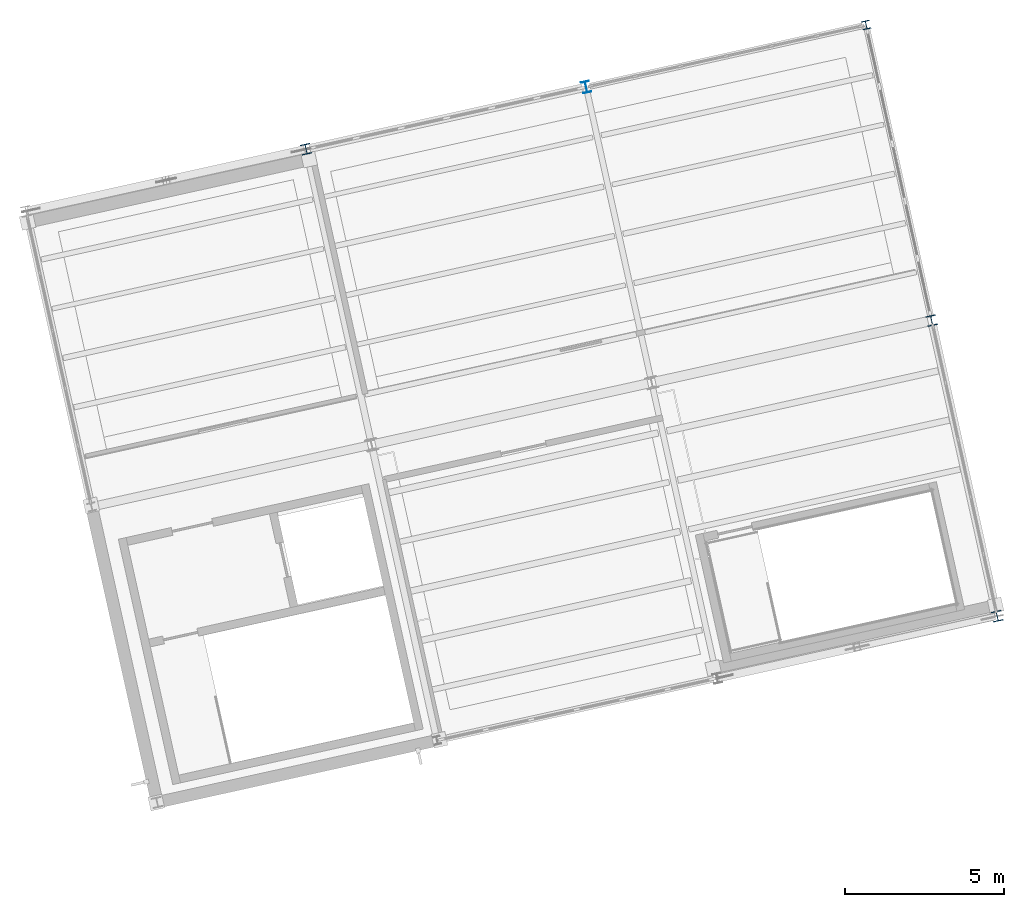
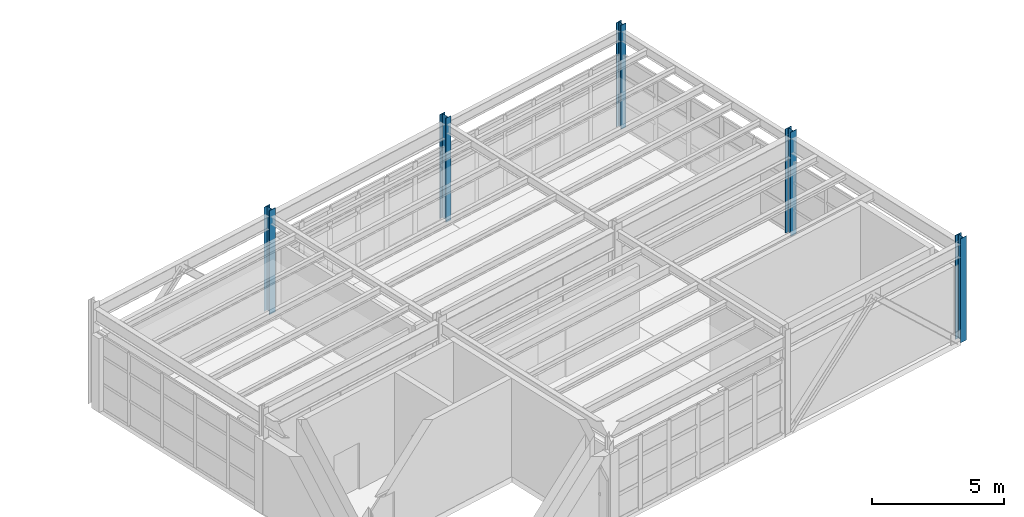
# One storey, part 11 of 59: 5 columns.
"""IFC4 building model written with IfcOpenShell, lengths in metres."""

import ifcopenshell
import ifcopenshell.guid

model = None  # the IFC model being written
_history = None  # IfcOwnerHistory: only IFC2X3 demands one
_inside = {}  # id of a spatial element -> (the spatial element, [elements in it])
_under = {}  # id of a project, library or spatial element -> (it, [spatial elements below it])
_declared = {}  # id of a project -> (the project, [libraries it declares])
_typed = {}  # id of a type object -> (the type object, [elements of that type])
_made_of = {}  # id of a material, layer set ... -> (it, [elements and type objects made of it])


def new_model(schema):
    """Start an empty IFC model of exactly this schema.

    Asked for "IFC4X3", IfcOpenShell would pick the latest addendum, in which some entities
    have other attributes; the version numbers below select the first issue.
    IFC2X3 requires an IfcOwnerHistory on every rooted entity: one is made here for all.
    """
    global model, _history
    if schema == "IFC4X3":
        model = ifcopenshell.file(schema_version=(4, 3, 0, 0))
    else:
        model = ifcopenshell.file(schema=schema)
    _inside.clear()
    _under.clear()
    _declared.clear()
    _typed.clear()
    _made_of.clear()
    _history = None
    if model.schema == "IFC2X3":
        org = make("IfcOrganization", Name="unknown")
        user = make(
            "IfcPersonAndOrganization",
            ThePerson=make("IfcPerson", FamilyName="unknown"),
            TheOrganization=org,
        )
        app = make(
            "IfcApplication",
            ApplicationDeveloper=org,
            Version="unknown",
            ApplicationFullName="unknown",
            ApplicationIdentifier="unknown",
        )
        _history = make(
            "IfcOwnerHistory",
            OwningUser=user,
            OwningApplication=app,
            ChangeAction="ADDED",
            CreationDate=0,
        )
    return model


def make(cls, **values):
    """One entity of the class cls with the attributes given. An attribute that is None is left unset."""
    return model.create_entity(
        cls, **{name: value for name, value in values.items() if value is not None}
    )


def rooted(cls, **values):
    """An entity with a GlobalId (a new one), such as an element, a storey or a relation."""
    return make(cls, GlobalId=ifcopenshell.guid.new(), OwnerHistory=_history, **values)


def si_unit(unit_type, name, prefix=None):
    """IfcSIUnit, for example si_unit("LENGTHUNIT", "METRE", prefix="MILLI")."""
    return make("IfcSIUnit", UnitType=unit_type, Prefix=prefix, Name=name)


def assignment(units):
    """IfcUnitAssignment: the units of a project."""
    return None if units is None else make("IfcUnitAssignment", Units=units)


def point(xyz):
    """IfcCartesianPoint."""
    return None if xyz is None else make("IfcCartesianPoint", Coordinates=xyz)


def direction(xyz):
    """IfcDirection."""
    return None if xyz is None else make("IfcDirection", DirectionRatios=xyz)


def frame(location, z_axis=None, x_axis=None):
    """IfcAxis2Placement3D, a coordinate frame: its origin and axes. An axis left out is left unset."""
    return make(
        "IfcAxis2Placement3D",
        Location=point(location),
        Axis=direction(z_axis),
        RefDirection=direction(x_axis),
    )


def frame_2d(location, x_axis=None):
    """IfcAxis2Placement2D, a coordinate frame in the plane: its origin and x axis."""
    return make(
        "IfcAxis2Placement2D", Location=point(location), RefDirection=direction(x_axis)
    )


def origin():
    """The frame at (0, 0, 0) with its axes left unset."""
    return frame((0.0, 0.0, 0.0))


def origin_2d():
    """The frame at (0, 0) in the plane with its x axis left unset."""
    return frame_2d((0.0, 0.0))


def place(relative_to, where):
    """IfcLocalPlacement: puts the frame where relative to a parent placement (None: the world)."""
    return make(
        "IfcLocalPlacement", PlacementRelTo=relative_to, RelativePlacement=where
    )


def context(
    kind, dimensions, precision=None, world=None, true_north=None, identifier=None
):
    """IfcGeometricRepresentationContext, for example the 3D "Model" context."""
    return make(
        "IfcGeometricRepresentationContext",
        ContextIdentifier=identifier,
        ContextType=kind,
        CoordinateSpaceDimension=dimensions,
        Precision=precision,
        WorldCoordinateSystem=world,
        TrueNorth=true_north,
    )


def subcontext(parent, identifier, kind, view, scale=None):
    """IfcGeometricRepresentationSubContext, for example "Body" below "Model"."""
    return make(
        "IfcGeometricRepresentationSubContext",
        ContextIdentifier=identifier,
        ContextType=kind,
        ParentContext=parent,
        TargetScale=scale,
        TargetView=view,
    )


def project(units=None, contexts=None):
    """IfcProject with its units and contexts."""
    return rooted(
        "IfcProject",
        Name="project",
        RepresentationContexts=contexts,
        UnitsInContext=assignment(units),
    )


def spatial(cls, under=None, at=None, **own):
    """A site, building, storey or space (cls), placed at a placement, below another one or the project."""
    s = rooted(cls, ObjectPlacement=at, **own)
    if under is not None:
        _under.setdefault(under.id(), (under, []))[1].append(s)
    return s


def profile(cls, at=None, kind="AREA", **sizes):
    """A parametric profile (cls). Its sizes go by their IFC names, for example OverallWidth=200.0."""
    return make(cls, ProfileType=kind, Position=at, **sizes)


def i_section(**sizes):
    """IfcIShapeProfileDef."""
    return profile("IfcIShapeProfileDef", **sizes)


def extrude(swept, where, along, depth):
    """IfcExtrudedAreaSolid: the profile swept, set in the frame where, extruded along a direction by depth."""
    return make(
        "IfcExtrudedAreaSolid",
        SweptArea=swept,
        Position=where,
        ExtrudedDirection=direction(along),
        Depth=depth,
    )


def shape(context_of_items, identifier, shape_type, items):
    """IfcShapeRepresentation: the items that make up one representation, for example the "Body"."""
    return make(
        "IfcShapeRepresentation",
        ContextOfItems=context_of_items,
        RepresentationIdentifier=identifier,
        RepresentationType=shape_type,
        Items=items,
    )


def material(Name=None, Category=None):
    """IfcMaterial."""
    return make("IfcMaterial", Name=Name, Category=Category)


def material_profile(
    of_material, cross_section, Name=None, Category=None, Priority=None
):
    """IfcMaterialProfile: a cross section and its material."""
    return make(
        "IfcMaterialProfile",
        Name=Name,
        Material=of_material,
        Profile=cross_section,
        Priority=Priority,
        Category=Category,
    )


def profile_set(profiles, Name=None, composite=None):
    """IfcMaterialProfileSet."""
    return make(
        "IfcMaterialProfileSet",
        Name=Name,
        MaterialProfiles=profiles,
        CompositeProfile=composite,
    )


def made_of(thing, what):
    """Note that an element or type object is made of a material, layer set ...; save() writes the relation."""
    if what is not None:
        _made_of.setdefault(what.id(), (what, []))[1].append(thing)
    return thing


def type_object(cls, material=None, **own):
    """A type object (cls), such as IfcWallType, which elements share."""
    return made_of(rooted(cls, **own), material)


def element(
    cls,
    number,
    at=None,
    inside=None,
    cuts=None,
    type_object=None,
    material=None,
    context=None,
    identifier="Body",
    shape_type=None,
    held_by="IfcProductDefinitionShape",
    body=None,
    shapes=None,
    **own,
):
    """One element of the class cls, such as IfcWall. Its Tag is "e" and its number.

    at: its placement. inside: the storey or other place that contains it. cuts: it is an
    opening in that element (IfcRelVoidsElement). A single representation is given by context,
    identifier, shape_type and body (its items); several are given by shapes. held_by: the class
    of the entity that holds the representations. save() writes the other relations.
    """
    e = rooted(cls, Tag="e%d" % number, ObjectPlacement=at, **own)
    if body is not None:
        shapes = [shape(context, identifier, shape_type, body)]
    if shapes is not None:
        e.Representation = make(held_by, Representations=shapes)
    if inside is not None:
        _inside.setdefault(inside.id(), (inside, []))[1].append(e)
    if cuts is not None:
        rooted(
            "IfcRelVoidsElement", RelatingBuildingElement=cuts, RelatedOpeningElement=e
        )
    if type_object is not None:
        _typed.setdefault(type_object.id(), (type_object, []))[1].append(e)
    return made_of(e, material)


def aggregate(whole, parts):
    """IfcRelAggregates: a whole, such as a stair, and the parts it consists of."""
    return rooted("IfcRelAggregates", RelatingObject=whole, RelatedObjects=parts)


def save(model, path):
    """Write the relations noted so far, then the file.

    IfcRelAggregates (storeys below a building ...), IfcRelContainedInSpatialStructure (elements
    in a storey), IfcRelDefinesByType, IfcRelAssociatesMaterial and IfcRelDeclares: one each for
    every whole, place, type object, material and project.
    """
    for whole, parts in _under.values():
        aggregate(whole, parts)
    for where, things in _inside.values():
        rooted(
            "IfcRelContainedInSpatialStructure",
            RelatedElements=things,
            RelatingStructure=where,
        )
    for kind, things in _typed.values():
        rooted("IfcRelDefinesByType", RelatedObjects=things, RelatingType=kind)
    for what, things in _made_of.values():
        rooted("IfcRelAssociatesMaterial", RelatedObjects=things, RelatingMaterial=what)
    for by, libraries in _declared.values():
        rooted("IfcRelDeclares", RelatingContext=by, RelatedDefinitions=libraries)
    model.write(path)


model = new_model("IFC4")

# Units and contexts
model_context = context("Model", 3, precision=1e-05, world=origin(), true_north=direction((0.0, 1.0)))
body_context = subcontext(model_context, "Body", "Model", "MODEL_VIEW")
ifc_project = project(units=[si_unit("LENGTHUNIT", "METRE"), si_unit("AREAUNIT", "SQUARE_METRE"), si_unit("VOLUMEUNIT", "CUBIC_METRE"), si_unit("PLANEANGLEUNIT", "RADIAN"), si_unit("MASSUNIT", "GRAM", prefix="KILO")], contexts=[model_context])

# Site, building, storey
site_placement = place(None, origin())
site = spatial("IfcSite", under=ifc_project, at=site_placement, CompositionType="ELEMENT")
building_placement = place(site_placement, origin())
building = spatial("IfcBuilding", under=site, at=building_placement, Name="Vireo Bluff Cable Station", CompositionType="ELEMENT")
storey_placement = place(building_placement, frame((0.0, 0.0, 14.39990234375)))
storey = spatial("IfcBuildingStorey", under=building, at=storey_placement, Name="L03", CompositionType="ELEMENT", Elevation=14.39990234375)

# Columns
ifc_material = material(Name="Steel ASTM A992 Gr. 50", Category="steel")
ifc_material_profile_1 = material_profile(ifc_material, i_section(OverallWidth=0.306884765625, OverallDepth=0.31494140625, WebThickness=0.011962890625, FlangeThickness=0.018798828125, FilletRadius=0.012939453125, at=origin_2d()), Name="W12X79")
ifc_profile_set_1 = profile_set([ifc_material_profile_1], Name="Steel ASTM A992 Gr. 50")
column_type_1 = type_object("IfcColumnType", Name="ECOL-W12X79", PredefinedType="COLUMN", material=ifc_profile_set_1)
for number, where, z_axis, x_axis, name in (
    (1, (137.40478515625, 105.720458984375, 0.0), (0.0, 0.0, 1.0), (0.97629600712, 0.216439613938, 0.0), "V2 L03 column 164"),
    (2, (159.090576171875, 91.066650390625, 0.0), (0.0, 0.0, 1.0), (0.97629600712, 0.216439613938, 0.0), "V2 L03 column 186"),
    (3, (157.034423828125, 100.341552734375, 0.0), (0.0, 0.0, 1.0), (0.97629600712, 0.216439613938, 0.0), "V2 L03 column 190"),
):
    element("IfcColumn", number, at=place(storey_placement, frame(where, z_axis=z_axis, x_axis=x_axis)), inside=storey, type_object=column_type_1, Name=name, PredefinedType="COLUMN", context=body_context, shape_type="SweptSolid", body=[
        extrude(i_section(OverallWidth=0.306884765625, OverallDepth=0.31494140625, WebThickness=0.011962890625, FlangeThickness=0.018798828125, FilletRadius=0.012939453125, at=origin_2d()), origin(), (0.0, 0.0, 1.0), 4.800048828125),
    ])
ifc_material_profile_2 = material_profile(ifc_material, i_section(OverallWidth=0.257080078125, OverallDepth=0.263916015625, WebThickness=0.011962890625, FlangeThickness=0.01953125, FilletRadius=0.009033203125, at=origin_2d()), Name="W10X68")
ifc_profile_set_2 = profile_set([ifc_material_profile_2], Name="Steel ASTM A992 Gr. 50")
column_type_2 = type_object("IfcColumnType", Name="PIL-W10X68", PredefinedType="PILASTER", material=ifc_profile_set_2)
column_1_placement = place(storey_placement, frame((154.97802734375, 109.6162109375, 0.0), z_axis=(0.0, 0.0, 1.0), x_axis=(0.97629600712, 0.216439613938, 0.0)))
element("IfcColumn", 4, at=column_1_placement, inside=storey, type_object=column_type_2, Name="V2 L03 column 194", PredefinedType="PILASTER", context=body_context, shape_type="SweptSolid", body=[
    extrude(i_section(OverallWidth=0.257080078125, OverallDepth=0.263916015625, WebThickness=0.011962890625, FlangeThickness=0.01953125, FilletRadius=0.009033203125, at=origin_2d()), origin(), (0.0, 0.0, 1.0), 4.800048828125),
])
ifc_material_profile_3 = material_profile(ifc_material, i_section(OverallWidth=0.25390625, OverallDepth=0.35302734375, WebThickness=0.009521484375, FlangeThickness=0.016357421875, FilletRadius=0.011962890625, at=origin_2d()), Name="W14X61")
ifc_profile_set_3 = profile_set([ifc_material_profile_3], Name="Steel ASTM A992 Gr. 50")
column_type_3 = type_object("IfcColumnType", Name="PIL-W14X61", PredefinedType="PILASTER", material=ifc_profile_set_3)
column_2_placement = place(storey_placement, frame((146.19140625, 107.668212890625, 0.0), z_axis=(0.0, 0.0, 1.0), x_axis=(0.97629600712, 0.216439613938, 0.0)))
element("IfcColumn", 5, at=column_2_placement, inside=storey, type_object=column_type_3, Name="V2 L03 column 179", PredefinedType="PILASTER", context=body_context, shape_type="SweptSolid", body=[
    extrude(i_section(OverallWidth=0.25390625, OverallDepth=0.35302734375, WebThickness=0.009521484375, FlangeThickness=0.016357421875, FilletRadius=0.011962890625, at=origin_2d()), origin(), (0.0, 0.0, 1.0), 4.800048828125),
])

save(model, "model.ifc")
